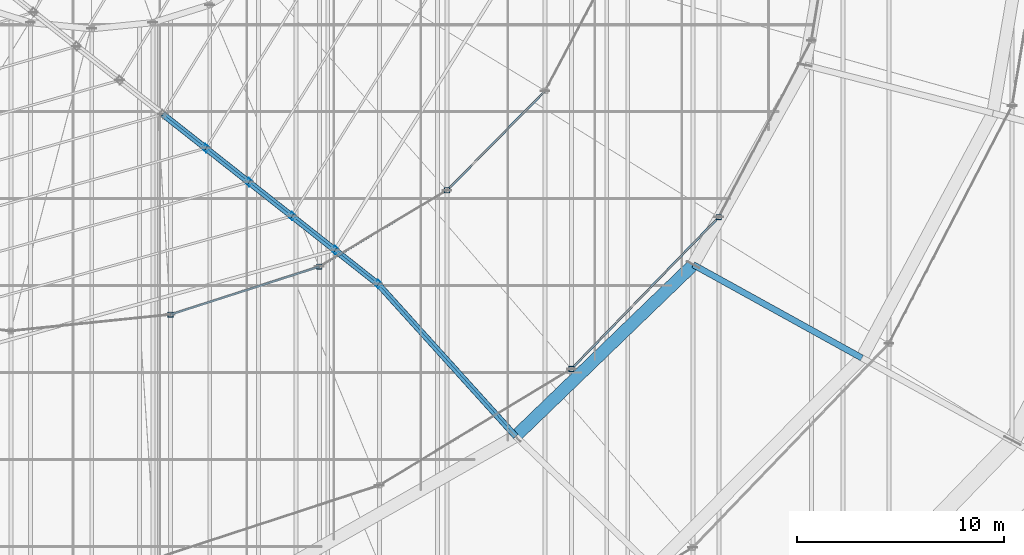
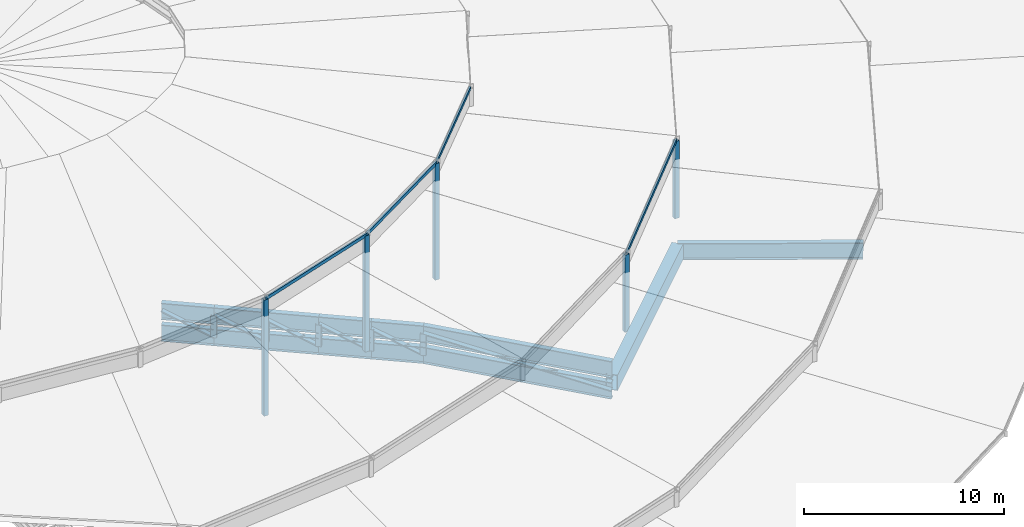
# One storey, part 73 of 184: 20 members, 14 beams.
"""IFC4 building model written with IfcOpenShell, lengths in metres."""

from ifc_helpers import new_model, si_unit, direction, frame, origin, origin_2d, place, context, subcontext, project, spatial, hollow_rectangle, i_section, extrude, material, material_profile, profile_set, type_object, element, save


model = new_model("IFC4")

# Units and contexts
model_context = context("Model", 3, precision=1e-05, world=origin(), true_north=direction((0.0, 1.0)))
body_context = subcontext(model_context, "Body", "Model", "MODEL_VIEW")
ifc_project = project(units=[si_unit("LENGTHUNIT", "METRE"), si_unit("AREAUNIT", "SQUARE_METRE"), si_unit("VOLUMEUNIT", "CUBIC_METRE"), si_unit("PLANEANGLEUNIT", "RADIAN"), si_unit("MASSUNIT", "GRAM", prefix="KILO")], contexts=[model_context])

# Site, building, storey
site_placement = place(None, origin())
site = spatial("IfcSite", under=ifc_project, at=site_placement, CompositionType="ELEMENT")
building_placement = place(site_placement, origin())
building = spatial("IfcBuilding", under=site, at=building_placement, Name="Kalgoora Escarpment Arena", CompositionType="ELEMENT")
storey_placement = place(building_placement, frame((0.0, 0.0, 27.60009765625)))
storey = spatial("IfcBuildingStorey", under=building, at=storey_placement, Name="Roof Level", CompositionType="ELEMENT", Elevation=27.60009765625)

# Beams
ifc_material_1 = material(Name="Structural steel Grade 350 (350 MPa)", Category="steel")
ifc_material_profile_1 = material_profile(ifc_material_1, hollow_rectangle(XDim=0.60009765625, YDim=0.949951171875, WallThickness=0.02490234375, at=origin_2d()))
ifc_profile_set_1 = profile_set([ifc_material_profile_1], Name="Structural steel Grade 350 (350 MPa)")
beam_type_1 = type_object("IfcBeamType", Name="BM-RING-BOX950", PredefinedType="USERDEFINED", material=ifc_profile_set_1)
beam_1_placement = place(storey_placement, frame((130.583740234375, 35.7158203125, -1.25), z_axis=(0.719462119733, 0.694531682696, 0.0), x_axis=(-0.694531682696, 0.719462119733, 0.0)))
element("IfcBeam", 1, at=beam_1_placement, inside=storey, type_object=beam_type_1, Name="Bowl compression RING BEAM chord 22", ObjectType="GIRDER", PredefinedType="USERDEFINED", context=body_context, shape_type="SweptSolid", body=[
    extrude(hollow_rectangle(XDim=0.60009765625, YDim=0.949951171875, WallThickness=0.02490234375, at=origin_2d()), origin(), (0.0, 0.0, 1.0), 11.927734375),
])
ifc_material_2 = material(Name="Structural steel Grade 350 (350 MPa)", Category="steel")
ifc_material_profile_2 = material_profile(ifc_material_2, i_section(OverallWidth=0.300048828125, OverallDepth=1.010009765625, WebThickness=0.01611328125, FlangeThickness=0.030029296875, at=origin_2d()))
ifc_profile_set_2 = profile_set([ifc_material_profile_2], Name="Structural steel Grade 350 (350 MPa)")
beam_type_2 = type_object("IfcBeamType", Name="BM-TRUSS-CHORD", PredefinedType="USERDEFINED", material=ifc_profile_set_2)
beam_2_placement = place(storey_placement, frame((147.305908203125, 39.5, -1.300048828125), z_axis=(-0.875134962309, 0.483759825614, 0.010734470957), x_axis=(-0.483787699571, -0.875185387072, 0.0)))
element("IfcBeam", 2, at=beam_2_placement, inside=storey, type_object=beam_type_2, Name="Inner radial petal support girder R23", ObjectType="GIRDER", PredefinedType="USERDEFINED", context=body_context, shape_type="SweptSolid", body=[
    extrude(i_section(OverallWidth=0.300048828125, OverallDepth=1.010009765625, WebThickness=0.01611328125, FlangeThickness=0.030029296875, at=origin_2d()), origin(), (0.0, 0.0, 1.0), 9.30224609375),
])
for number, where, z_axis, x_axis, name in (
    (3, (130.591796875, 35.706787109375, -1.7001953125), (-0.670522582285, 0.741872022721, 0.005036720141), (-0.741881433009, -0.670531087539, 0.0), "Radial ROOF TRUSS spine 8 bottom chord 1"),
    (4, (130.591796875, 35.706787109375, -0.400146484375), (-0.670522582285, 0.741872022721, 0.005036720141), (-0.741881433009, -0.670531087539, 0.0), "Radial ROOF TRUSS spine 8 top chord 1"),
):
    element("IfcBeam", number, at=place(storey_placement, frame(where, z_axis=z_axis, x_axis=x_axis)), inside=storey, type_object=beam_type_2, Name=name, ObjectType="GIRDER", PredefinedType="USERDEFINED", context=body_context, shape_type="SweptSolid", body=[
        extrude(i_section(OverallWidth=0.300048828125, OverallDepth=1.010009765625, WebThickness=0.01611328125, FlangeThickness=0.030029296875, at=origin_2d()), origin(), (0.0, 0.0, 1.0), 9.936767578125),
    ])
for number, where, z_axis, x_axis, name in (
    (5, (123.9462890625, 43.062255859375, -1.650146484375), (-0.785126774142, 0.61933211503, 0.001918285312), (-0.619333254548, -0.785128218708, 0.0), "Radial ROOF TRUSS spine 8 bottom chord 2"),
    (6, (123.9462890625, 43.062255859375, -0.35009765625), (-0.785122712366, 0.619328910976, 0.003745204329), (-0.619333254548, -0.785128218708, 0.0), "Radial ROOF TRUSS spine 8 top chord 2"),
):
    element("IfcBeam", number, at=place(storey_placement, frame(where, z_axis=z_axis, x_axis=x_axis)), inside=storey, type_object=beam_type_2, Name=name, ObjectType="GIRDER", PredefinedType="USERDEFINED", context=body_context, shape_type="SweptSolid", body=[
        extrude(i_section(OverallWidth=0.300048828125, OverallDepth=1.010009765625, WebThickness=0.01611328125, FlangeThickness=0.030029296875, at=origin_2d()), origin(), (0.0, 0.0, 1.0), 2.672607421875),
    ])
for number, where, z_axis, x_axis, name in (
    (7, (121.86669921875, 44.70263671875, -1.64501953125), (-0.785161943142, 0.619287805317, 0.001826807685), (-0.619288838671, -0.785163253277, 0.0), "Radial ROOF TRUSS spine 8 bottom chord 3"),
    (8, (121.86669921875, 44.70263671875, -0.340087890625), (-0.78515774748, 0.619284496035, 0.003744935743), (-0.619288838671, -0.785163253277, 0.0), "Radial ROOF TRUSS spine 8 top chord 3"),
):
    element("IfcBeam", number, at=place(storey_placement, frame(where, z_axis=z_axis, x_axis=x_axis)), inside=storey, type_object=beam_type_2, Name=name, ObjectType="GIRDER", PredefinedType="USERDEFINED", context=body_context, shape_type="SweptSolid", body=[
        extrude(i_section(OverallWidth=0.300048828125, OverallDepth=1.010009765625, WebThickness=0.01611328125, FlangeThickness=0.030029296875, at=origin_2d()), origin(), (0.0, 0.0, 1.0), 2.6728515625),
    ])
for number, where, z_axis, x_axis, name in (
    (9, (119.786865234375, 46.34326171875, -1.64013671875), (-0.785126774142, 0.61933211503, 0.001918285312), (-0.619333254548, -0.785128218708, 0.0), "Radial ROOF TRUSS spine 8 bottom chord 4"),
    (10, (119.786865234375, 46.34326171875, -0.330078125), (-0.785122712366, 0.619328910976, 0.003745204329), (-0.619333254548, -0.785128218708, 0.0), "Radial ROOF TRUSS spine 8 top chord 4"),
):
    element("IfcBeam", number, at=place(storey_placement, frame(where, z_axis=z_axis, x_axis=x_axis)), inside=storey, type_object=beam_type_2, Name=name, ObjectType="GIRDER", PredefinedType="USERDEFINED", context=body_context, shape_type="SweptSolid", body=[
        extrude(i_section(OverallWidth=0.300048828125, OverallDepth=1.010009765625, WebThickness=0.01611328125, FlangeThickness=0.030029296875, at=origin_2d()), origin(), (0.0, 0.0, 1.0), 2.672607421875),
    ])
for number, where, z_axis, x_axis, name in (
    (11, (117.707275390625, 47.983642578125, -1.635009765625), (-0.785161943142, 0.619287805317, 0.001826807685), (-0.619288838671, -0.785163253277, 0.0), "Radial ROOF TRUSS spine 8 bottom chord 5"),
    (12, (117.707275390625, 47.983642578125, -0.320068359375), (-0.78515774748, 0.619284496035, 0.003744935743), (-0.619288838671, -0.785163253277, 0.0), "Radial ROOF TRUSS spine 8 top chord 5"),
):
    element("IfcBeam", number, at=place(storey_placement, frame(where, z_axis=z_axis, x_axis=x_axis)), inside=storey, type_object=beam_type_2, Name=name, ObjectType="GIRDER", PredefinedType="USERDEFINED", context=body_context, shape_type="SweptSolid", body=[
        extrude(i_section(OverallWidth=0.300048828125, OverallDepth=1.010009765625, WebThickness=0.01611328125, FlangeThickness=0.030029296875, at=origin_2d()), origin(), (0.0, 0.0, 1.0), 2.6728515625),
    ])
for number, where, z_axis, x_axis, name in (
    (13, (115.62744140625, 49.624267578125, -1.630126953125), (-0.785126774142, 0.61933211503, 0.001918285312), (-0.619333254548, -0.785128218708, 0.0), "Radial ROOF TRUSS spine 8 bottom chord 6"),
    (14, (115.62744140625, 49.624267578125, -0.31005859375), (-0.785122712366, 0.619328910976, 0.003745204329), (-0.619333254548, -0.785128218708, 0.0), "Radial ROOF TRUSS spine 8 top chord 6"),
):
    element("IfcBeam", number, at=place(storey_placement, frame(where, z_axis=z_axis, x_axis=x_axis)), inside=storey, type_object=beam_type_2, Name=name, ObjectType="GIRDER", PredefinedType="USERDEFINED", context=body_context, shape_type="SweptSolid", body=[
        extrude(i_section(OverallWidth=0.300048828125, OverallDepth=1.010009765625, WebThickness=0.01611328125, FlangeThickness=0.030029296875, at=origin_2d()), origin(), (0.0, 0.0, 1.0), 2.672607421875),
    ])

# Members
ifc_material_3 = material(Name="Structural steel C450 (450 MPa)", Category="steel")
ifc_material_profile_3 = material_profile(ifc_material_3, hollow_rectangle(XDim=0.25, YDim=0.25, WallThickness=0.012451171875, at=origin_2d()))
ifc_profile_set_3 = profile_set([ifc_material_profile_3], Name="Structural steel C450 (450 MPa)")
member_type_1 = type_object("IfcMemberType", Name="MEM-PETAL-POST", PredefinedType="POST", material=ifc_profile_set_3)
for number, where, z_axis, x_axis, name in (
    (15, (133.2783203125, 38.968505859375, -1.02001953125), (0.0, 0.0, 1.0), (1.0, 0.0, 0.0), "Petal RP3 vertical support post S22"),
    (16, (140.39794921875, 46.300048828125, -1.02001953125), (0.0, 0.0, 1.0), (1.0, 0.0, 0.0), "Petal RP3 vertical support post S23"),
):
    element("IfcMember", number, at=place(storey_placement, frame(where, z_axis=z_axis, x_axis=x_axis)), inside=storey, type_object=member_type_1, Name=name, PredefinedType="POST", context=body_context, shape_type="SweptSolid", body=[
        extrude(hollow_rectangle(XDim=0.25, YDim=0.25, WallThickness=0.012451171875, at=origin_2d()), origin(), (0.0, 0.0, 1.0), 4.724853515625),
    ])
for number, where, z_axis, x_axis, name in (
    (17, (113.912841796875, 41.590576171875, -0.960205078125), (0.0, 0.0, 1.0), (1.0, 0.0, 0.0), "Petal RP4 vertical support post S20"),
    (18, (121.10009765625, 43.908203125, -0.960205078125), (0.0, 0.0, 1.0), (1.0, 0.0, 0.0), "Petal RP4 vertical support post S21"),
    (19, (127.271728515625, 47.59521484375, -0.960205078125), (0.0, 0.0, 1.0), (1.0, 0.0, 0.0), "Petal RP4 vertical support post S22"),
):
    element("IfcMember", number, at=place(storey_placement, frame(where, z_axis=z_axis, x_axis=x_axis)), inside=storey, type_object=member_type_1, Name=name, PredefinedType="POST", context=body_context, shape_type="SweptSolid", body=[
        extrude(hollow_rectangle(XDim=0.25, YDim=0.25, WallThickness=0.012451171875, at=origin_2d()), origin(), (0.0, 0.0, 1.0), 7.105224609375),
    ])
ifc_material_4 = material(Name="Structural steel C350 (350 MPa)", Category="steel")
ifc_material_profile_4 = material_profile(ifc_material_4, hollow_rectangle(XDim=0.10009765625, YDim=0.199951171875, WallThickness=0.009033203125, at=origin_2d()))
ifc_profile_set_4 = profile_set([ifc_material_profile_4], Name="Structural steel C350 (350 MPa)")
member_type_2 = type_object("IfcMemberType", Name="MEM-PURLIN-RHS", PredefinedType="PURLIN", material=ifc_profile_set_4)
member_1_placement = place(storey_placement, frame((133.2783203125, 38.968505859375, 3.684814453125), z_axis=(0.696662765514, 0.717398767176, 0.0), x_axis=(-0.717398767176, 0.696662765514, 0.0)))
element("IfcMember", 20, at=member_1_placement, inside=storey, type_object=member_type_2, Name="Petal RP3 eave support ring purlin S22", PredefinedType="PURLIN", context=body_context, shape_type="SweptSolid", body=[
    extrude(hollow_rectangle(XDim=0.10009765625, YDim=0.199951171875, WallThickness=0.009033203125, at=origin_2d()), origin(), (0.0, 0.0, 1.0), 10.2197265625),
])
member_2_placement = place(storey_placement, frame((113.912841796875, 41.590576171875, 6.125), z_axis=(0.951741215893, 0.306901707343, 0.0), x_axis=(-0.306901707343, 0.951741215893, 0.0)))
element("IfcMember", 21, at=member_2_placement, inside=storey, type_object=member_type_2, Name="Petal RP4 eave support ring purlin S20", PredefinedType="PURLIN", context=body_context, shape_type="SweptSolid", body=[
    extrude(hollow_rectangle(XDim=0.10009765625, YDim=0.199951171875, WallThickness=0.009033203125, at=origin_2d()), origin(), (0.0, 0.0, 1.0), 7.5517578125),
])
member_3_placement = place(storey_placement, frame((121.10009765625, 43.908203125, 6.125), z_axis=(0.858471212387, 0.512861752817, 0.0), x_axis=(-0.512861752817, 0.858471212387, 0.0)))
element("IfcMember", 22, at=member_3_placement, inside=storey, type_object=member_type_2, Name="Petal RP4 eave support ring purlin S21", PredefinedType="PURLIN", context=body_context, shape_type="SweptSolid", body=[
    extrude(hollow_rectangle(XDim=0.10009765625, YDim=0.199951171875, WallThickness=0.009033203125, at=origin_2d()), origin(), (0.0, 0.0, 1.0), 7.189208984375),
])
member_4_placement = place(storey_placement, frame((127.271728515625, 47.59521484375, 6.125), z_axis=(0.701985782774, 0.712190958088, 0.0), x_axis=(-0.712190958088, 0.701985782774, 0.0)))
element("IfcMember", 23, at=member_4_placement, inside=storey, type_object=member_type_2, Name="Petal RP4 eave support ring purlin S22", PredefinedType="PURLIN", context=body_context, shape_type="SweptSolid", body=[
    extrude(hollow_rectangle(XDim=0.10009765625, YDim=0.199951171875, WallThickness=0.009033203125, at=origin_2d()), origin(), (0.0, 0.0, 1.0), 6.746337890625),
])
ifc_material_5 = material(Name="Structural steel C350 (350 MPa)", Category="steel")
ifc_material_profile_5 = material_profile(ifc_material_5, hollow_rectangle(XDim=0.199951171875, YDim=0.199951171875, WallThickness=0.009033203125, at=origin_2d()))
ifc_profile_set_5 = profile_set([ifc_material_profile_5], Name="Structural steel C350 (350 MPa)")
member_type_3 = type_object("IfcMemberType", Name="MEM-TRUSS-DIAG", PredefinedType="BRACE", material=ifc_profile_set_5)
member_5_placement = place(storey_placement, frame((130.583740234375, 35.7158203125, -1.7001953125), z_axis=(-0.664408647738, 0.735083668632, 0.134956099981), x_axis=(0.620141149788, 0.44145930962, 0.648489500524)))
element("IfcMember", 24, at=member_5_placement, inside=storey, type_object=member_type_3, Name="Radial ROOF TRUSS spine 8 web diagonal 1", PredefinedType="BRACE", context=body_context, shape_type="SweptSolid", body=[
    extrude(hollow_rectangle(XDim=0.199951171875, YDim=0.199951171875, WallThickness=0.009033203125, at=origin_2d()), origin(), (0.0, 0.0, 1.0), 10.00390625),
])
member_6_placement = place(storey_placement, frame((123.93701171875, 43.069580078125, -1.650146484375), z_axis=(-0.703729825962, 0.555184835697, 0.443321700647), x_axis=(0.696088976616, 0.413888297766, 0.586648628743)))
element("IfcMember", 25, at=member_6_placement, inside=storey, type_object=member_type_3, Name="Radial ROOF TRUSS spine 8 web diagonal 2", PredefinedType="BRACE", context=body_context, shape_type="SweptSolid", body=[
    extrude(hollow_rectangle(XDim=0.199951171875, YDim=0.199951171875, WallThickness=0.009033203125, at=origin_2d()), origin(), (0.0, 0.0, 1.0), 2.955078125),
])
member_7_placement = place(storey_placement, frame((121.857421875, 44.710205078125, -1.64501953125), z_axis=(-0.703287872707, 0.554688486527, 0.444642385538), x_axis=(0.696714066689, 0.413443126611, 0.58622034282)))
element("IfcMember", 26, at=member_7_placement, inside=storey, type_object=member_type_3, Name="Radial ROOF TRUSS spine 8 web diagonal 3", PredefinedType="BRACE", context=body_context, shape_type="SweptSolid", body=[
    extrude(hollow_rectangle(XDim=0.199951171875, YDim=0.199951171875, WallThickness=0.009033203125, at=origin_2d()), origin(), (0.0, 0.0, 1.0), 2.957275390625),
])
member_8_placement = place(storey_placement, frame((119.777587890625, 46.3505859375, -1.64013671875), z_axis=(-0.702713177916, 0.554317708135, 0.446011286887), x_axis=(0.697447392673, 0.412837841771, 0.585774744125)))
element("IfcMember", 27, at=member_8_placement, inside=storey, type_object=member_type_3, Name="Radial ROOF TRUSS spine 8 web diagonal 4", PredefinedType="BRACE", context=body_context, shape_type="SweptSolid", body=[
    extrude(hollow_rectangle(XDim=0.199951171875, YDim=0.199951171875, WallThickness=0.009033203125, at=origin_2d()), origin(), (0.0, 0.0, 1.0), 2.959716796875),
])
member_9_placement = place(storey_placement, frame((117.69775390625, 47.9912109375, -1.635009765625), z_axis=(-0.702186004994, 0.553884452636, 0.447377723539), x_axis=(0.69814323499, 0.412294643146, 0.585328241819)))
element("IfcMember", 28, at=member_9_placement, inside=storey, type_object=member_type_3, Name="Radial ROOF TRUSS spine 8 web diagonal 5", PredefinedType="BRACE", context=body_context, shape_type="SweptSolid", body=[
    extrude(hollow_rectangle(XDim=0.199951171875, YDim=0.199951171875, WallThickness=0.009033203125, at=origin_2d()), origin(), (0.0, 0.0, 1.0), 2.961669921875),
])
member_10_placement = place(storey_placement, frame((115.6181640625, 49.631591796875, -1.630126953125), z_axis=(-0.701651590539, 0.553480301493, 0.448714387282), x_axis=(0.698836380109, 0.411742173785, 0.584889815403)))
element("IfcMember", 29, at=member_10_placement, inside=storey, type_object=member_type_3, Name="Radial ROOF TRUSS spine 8 web diagonal 6", PredefinedType="BRACE", context=body_context, shape_type="SweptSolid", body=[
    extrude(hollow_rectangle(XDim=0.199951171875, YDim=0.199951171875, WallThickness=0.009033203125, at=origin_2d()), origin(), (0.0, 0.0, 1.0), 2.964111328125),
])
ifc_material_6 = material(Name="Structural steel C450 (450 MPa)", Category="steel")
ifc_material_profile_6 = material_profile(ifc_material_6, hollow_rectangle(XDim=0.300048828125, YDim=0.300048828125, WallThickness=0.012451171875, at=origin_2d()))
ifc_profile_set_6 = profile_set([ifc_material_profile_6], Name="Structural steel C450 (450 MPa)")
member_type_4 = type_object("IfcMemberType", Name="MEM-TRUSS-POST", PredefinedType="POST", material=ifc_profile_set_6)
member_11_placement = place(storey_placement, frame((123.93701171875, 43.069580078125, -1.650146484375), z_axis=(0.0, 0.0, 1.0), x_axis=(-0.756081970773, 0.6544769312, 0.0)))
element("IfcMember", 30, at=member_11_placement, inside=storey, type_object=member_type_4, Name="Radial ROOF TRUSS spine 8 post 1", PredefinedType="POST", context=body_context, shape_type="SweptSolid", body=[
    extrude(hollow_rectangle(XDim=0.300048828125, YDim=0.300048828125, WallThickness=0.012451171875, at=origin_2d()), origin(), (0.0, 0.0, 1.0), 1.300048828125),
])
member_12_placement = place(storey_placement, frame((121.857421875, 44.710205078125, -1.64501953125), z_axis=(0.0, 0.0, 1.0), x_axis=(-0.756081970773, 0.6544769312, 0.0)))
element("IfcMember", 31, at=member_12_placement, inside=storey, type_object=member_type_4, Name="Radial ROOF TRUSS spine 8 post 2", PredefinedType="POST", context=body_context, shape_type="SweptSolid", body=[
    extrude(hollow_rectangle(XDim=0.300048828125, YDim=0.300048828125, WallThickness=0.012451171875, at=origin_2d()), origin(), (0.0, 0.0, 1.0), 1.304931640625),
])
member_13_placement = place(storey_placement, frame((119.777587890625, 46.3505859375, -1.64013671875), z_axis=(0.0, 0.0, 1.0), x_axis=(-0.756081970773, 0.6544769312, 0.0)))
element("IfcMember", 32, at=member_13_placement, inside=storey, type_object=member_type_4, Name="Radial ROOF TRUSS spine 8 post 3", PredefinedType="POST", context=body_context, shape_type="SweptSolid", body=[
    extrude(hollow_rectangle(XDim=0.300048828125, YDim=0.300048828125, WallThickness=0.012451171875, at=origin_2d()), origin(), (0.0, 0.0, 1.0), 1.31005859375),
])
member_14_placement = place(storey_placement, frame((117.69775390625, 47.9912109375, -1.635009765625), z_axis=(0.0, 0.0, 1.0), x_axis=(-0.756081970773, 0.6544769312, 0.0)))
element("IfcMember", 33, at=member_14_placement, inside=storey, type_object=member_type_4, Name="Radial ROOF TRUSS spine 8 post 4", PredefinedType="POST", context=body_context, shape_type="SweptSolid", body=[
    extrude(hollow_rectangle(XDim=0.300048828125, YDim=0.300048828125, WallThickness=0.012451171875, at=origin_2d()), origin(), (0.0, 0.0, 1.0), 1.31494140625),
])
member_15_placement = place(storey_placement, frame((115.6181640625, 49.631591796875, -1.630126953125), z_axis=(0.0, 0.0, 1.0), x_axis=(-0.756081970773, 0.6544769312, 0.0)))
element("IfcMember", 34, at=member_15_placement, inside=storey, type_object=member_type_4, Name="Radial ROOF TRUSS spine 8 post 5", PredefinedType="POST", context=body_context, shape_type="SweptSolid", body=[
    extrude(hollow_rectangle(XDim=0.300048828125, YDim=0.300048828125, WallThickness=0.012451171875, at=origin_2d()), origin(), (0.0, 0.0, 1.0), 1.320068359375),
])

save(model, "model.ifc")
